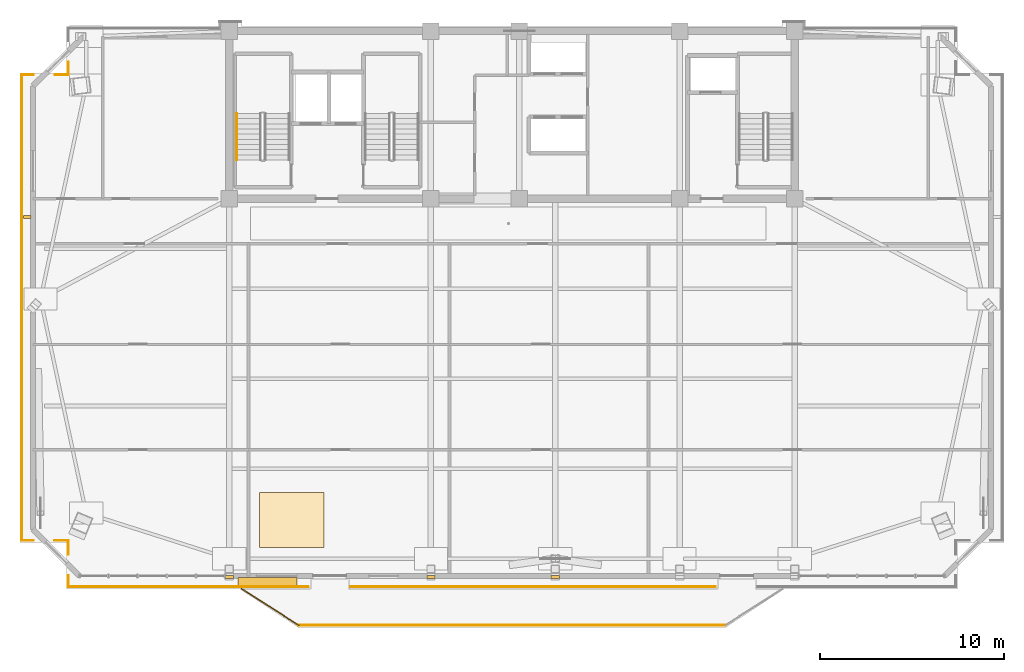
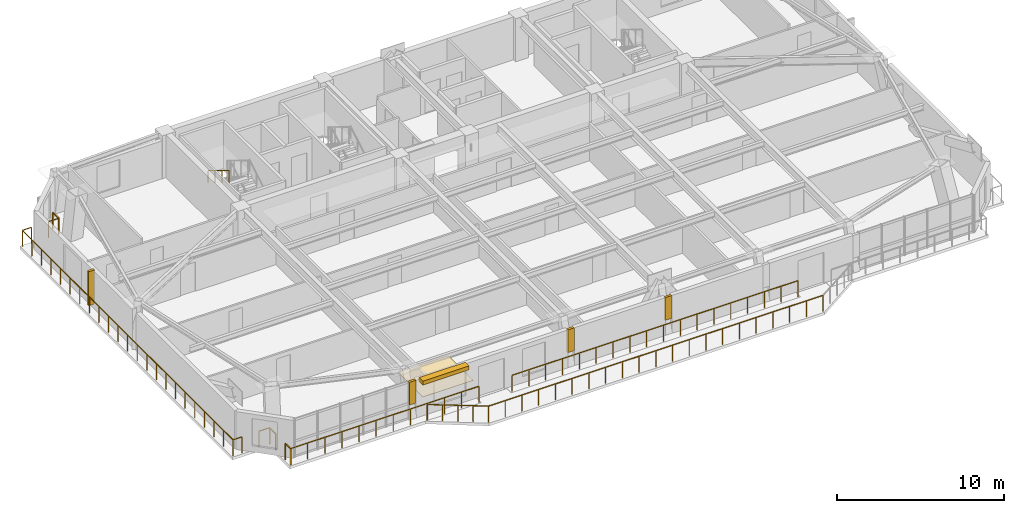
# One storey, part 12 of 15: 13 railings, 4 coverings, 2 shading devices.
"""IFC4 building model written with IfcOpenShell, lengths in metres."""

from ifc_helpers import new_model, si_unit, direction, frame, origin, origin_2d, place, context, subcontext, project, spatial, polyline, rectangle, outline, extrude, source, transform, mapped, material, layer, layer_set, type_object, element, save


model = new_model("IFC4")

# Units and contexts
model_context = context("Model", 3, precision=1e-05, world=origin(), true_north=direction((0.0, 1.0)))
body_context = subcontext(model_context, "Body", "Model", "MODEL_VIEW")
ifc_project = project(units=[si_unit("LENGTHUNIT", "METRE"), si_unit("AREAUNIT", "SQUARE_METRE"), si_unit("VOLUMEUNIT", "CUBIC_METRE"), si_unit("PLANEANGLEUNIT", "RADIAN"), si_unit("MASSUNIT", "GRAM", prefix="KILO")], contexts=[model_context])

# Site, building, storey
site_placement = place(None, origin())
site = spatial("IfcSite", under=ifc_project, at=site_placement, CompositionType="ELEMENT")
building_placement = place(site_placement, origin())
building = spatial("IfcBuilding", under=site, at=building_placement, Name="Giltprow Tower", CompositionType="ELEMENT")
storey_placement = place(building_placement, frame((0.0, 0.0, 275.699951171875)))
storey = spatial("IfcBuildingStorey", under=building, at=storey_placement, Name="L71", CompositionType="ELEMENT", Elevation=275.699951171875)

# Coverings
ifc_material_1 = material(Name="Engineered oak", Category="wood")
ifc_layer_1 = layer(ifc_material_1, 0.02490234375, Name="Engineered oak")
ifc_layer_set_1 = layer_set([ifc_layer_1], Name="Engineered oak")
covering_type_1 = type_object("IfcCoveringType", Name="COV-FLR-TIMBER", PredefinedType="FLOORING", material=ifc_layer_set_1)
covering_1_placement = place(storey_placement, origin())
element("IfcCovering", 1, at=covering_1_placement, inside=storey, type_object=covering_type_1, Name="L71 Residence Oak Parquet Flooring", PredefinedType="FLOORING", context=body_context, shape_type="SweptSolid", body=[
    extrude(outline(polyline([(21.5, 18.508056640625), (25.0, 18.508056640625), (25.0, 21.508056640625), (21.5, 21.508056640625), (21.5, 18.508056640625)])), origin(), (0.0, 0.0, 1.0), 0.025146484375),
])
ifc_material_2 = material(Name="Anodized bronze", Category="metal")
ifc_layer_2 = layer(ifc_material_2, 0.0400390625, Name="Anodized bronze")
ifc_layer_set_2 = layer_set([ifc_layer_2], Name="Anodized bronze")
covering_type_2 = type_object("IfcCoveringType", Name="COV-SOFFIT-BRONZE", PredefinedType="CLADDING", material=ifc_layer_set_2)
covering_2_placement = place(storey_placement, frame((0.0, 0.0, 1.10009765625)))
element("IfcCovering", 2, at=covering_2_placement, inside=storey, type_object=covering_type_2, Name="L71 Setback Pier Closure Cladding S-1", PredefinedType="CLADDING", context=body_context, shape_type="SweptSolid", body=[
    extrude(outline(polyline([(19.625, 16.8359375), (20.074951171875, 16.8359375), (20.074951171875, 16.99609375), (19.625, 16.99609375), (19.625, 16.8359375)])), origin(), (0.0, 0.0, 1.0), 1.669921875),
])
covering_3_placement = place(storey_placement, frame((0.0, 0.0, 1.10009765625)))
element("IfcCovering", 3, at=covering_3_placement, inside=storey, type_object=covering_type_2, Name="L71 Setback Pier Closure Cladding S-2", PredefinedType="CLADDING", context=body_context, shape_type="SweptSolid", body=[
    extrude(outline(polyline([(30.574951171875, 16.8359375), (31.02490234375, 16.8359375), (31.02490234375, 16.99609375), (30.574951171875, 16.99609375), (30.574951171875, 16.8359375)])), origin(), (0.0, 0.0, 1.0), 1.669921875),
])
covering_4_placement = place(storey_placement, frame((0.0, 0.0, 1.10009765625)))
element("IfcCovering", 4, at=covering_4_placement, inside=storey, type_object=covering_type_2, Name="L71 Setback Pier Closure Cladding S-3", PredefinedType="CLADDING", context=body_context, shape_type="SweptSolid", body=[
    extrude(outline(polyline([(37.324951171875, 16.8359375), (37.77490234375, 16.8359375), (37.77490234375, 16.99609375), (37.324951171875, 16.99609375), (37.324951171875, 16.8359375)])), origin(), (0.0, 0.0, 1.0), 1.669921875),
])

# Railings
railing_type_1 = type_object("IfcRailingType", Name="RAIL-BALC-GUARD-1200", PredefinedType="BALUSTRADE", material=ifc_material_2)
railing_1_placement = place(storey_placement, frame((20.52001953125, 16.27587890625, 0.0)))
element("IfcRailing", 5, at=railing_1_placement, inside=storey, type_object=railing_type_1, Name="L71 Waterfront Balcony Balustrade Seg 1", PredefinedType="BALUSTRADE", context=body_context, shape_type="SweptSolid", body=[
    extrude(rectangle(XDim=0.048095703125, YDim=0.048095703125, at=origin_2d()), frame((0.0, 0.0, 1.17578125), z_axis=(0.84277487735, -0.538266203757, 0.0), x_axis=(0.538266203757, 0.84277487735, 0.0)), (0.0, 0.0, 1.0), 3.678466796875),
    extrude(rectangle(XDim=0.0419921875, YDim=0.0419921875, at=origin_2d()), origin(), (0.0, 0.0, 1.0), 1.15185546875),
    extrude(rectangle(XDim=0.0419921875, YDim=0.0419921875, at=origin_2d()), frame((0.77490234375, -0.4951171875, 0.0)), (0.0, 0.0, 1.0), 1.15185546875),
    extrude(rectangle(XDim=0.0419921875, YDim=0.0419921875, at=origin_2d()), frame((1.550048828125, -0.989990234375, 0.0)), (0.0, 0.0, 1.0), 1.15185546875),
    extrude(rectangle(XDim=0.0419921875, YDim=0.0419921875, at=origin_2d()), frame((2.3251953125, -1.48486328125, 0.0)), (0.0, 0.0, 1.0), 1.15185546875),
    extrude(rectangle(XDim=0.0419921875, YDim=0.0419921875, at=origin_2d()), frame((3.10009765625, -1.97998046875, 0.0)), (0.0, 0.0, 1.0), 1.15185546875),
])
railing_2_placement = place(storey_placement, frame((23.6201171875, 14.2958984375, 0.0)))
element("IfcRailing", 6, at=railing_2_placement, inside=storey, type_object=railing_type_1, Name="L71 Waterfront Balcony Balustrade Seg 2", PredefinedType="BALUSTRADE", context=body_context, shape_type="SweptSolid", body=[
    extrude(rectangle(XDim=0.048095703125, YDim=0.048095703125, at=origin_2d()), frame((0.0, 0.0, 1.17578125), z_axis=(1.0, 0.0, 0.0), x_axis=(0.0, 1.0, 0.0)), (0.0, 0.0, 1.0), 23.159912109375),
    extrude(rectangle(XDim=0.0419921875, YDim=0.0419921875, at=origin_2d()), origin(), (0.0, 0.0, 1.0), 1.15185546875),
    extrude(rectangle(XDim=0.0419921875, YDim=0.0419921875, at=origin_2d()), frame((1.157958984375, 0.0, 0.0)), (0.0, 0.0, 1.0), 1.15185546875),
    extrude(rectangle(XDim=0.0419921875, YDim=0.0419921875, at=origin_2d()), frame((2.31591796875, 0.0, 0.0)), (0.0, 0.0, 1.0), 1.15185546875),
    extrude(rectangle(XDim=0.0419921875, YDim=0.0419921875, at=origin_2d()), frame((3.473876953125, 0.0, 0.0)), (0.0, 0.0, 1.0), 1.15185546875),
    extrude(rectangle(XDim=0.0419921875, YDim=0.0419921875, at=origin_2d()), frame((4.632080078125, 0.0, 0.0)), (0.0, 0.0, 1.0), 1.15185546875),
    extrude(rectangle(XDim=0.0419921875, YDim=0.0419921875, at=origin_2d()), frame((5.7900390625, 0.0, 0.0)), (0.0, 0.0, 1.0), 1.15185546875),
    extrude(rectangle(XDim=0.0419921875, YDim=0.0419921875, at=origin_2d()), frame((6.947998046875, 0.0, 0.0)), (0.0, 0.0, 1.0), 1.15185546875),
    extrude(rectangle(XDim=0.0419921875, YDim=0.0419921875, at=origin_2d()), frame((8.10595703125, 0.0, 0.0)), (0.0, 0.0, 1.0), 1.15185546875),
    extrude(rectangle(XDim=0.0419921875, YDim=0.0419921875, at=origin_2d()), frame((9.263916015625, 0.0, 0.0)), (0.0, 0.0, 1.0), 1.15185546875),
    extrude(rectangle(XDim=0.0419921875, YDim=0.0419921875, at=origin_2d()), frame((10.421875, 0.0, 0.0)), (0.0, 0.0, 1.0), 1.15185546875),
    extrude(rectangle(XDim=0.0419921875, YDim=0.0419921875, at=origin_2d()), frame((11.580078125, 0.0, 0.0)), (0.0, 0.0, 1.0), 1.15185546875),
    extrude(rectangle(XDim=0.0419921875, YDim=0.0419921875, at=origin_2d()), frame((12.738037109375, 0.0, 0.0)), (0.0, 0.0, 1.0), 1.15185546875),
    extrude(rectangle(XDim=0.0419921875, YDim=0.0419921875, at=origin_2d()), frame((13.89599609375, 0.0, 0.0)), (0.0, 0.0, 1.0), 1.15185546875),
    extrude(rectangle(XDim=0.0419921875, YDim=0.0419921875, at=origin_2d()), frame((15.053955078125, 0.0, 0.0)), (0.0, 0.0, 1.0), 1.15185546875),
    extrude(rectangle(XDim=0.0419921875, YDim=0.0419921875, at=origin_2d()), frame((16.2119140625, 0.0, 0.0)), (0.0, 0.0, 1.0), 1.15185546875),
    extrude(rectangle(XDim=0.0419921875, YDim=0.0419921875, at=origin_2d()), frame((17.369873046875, 0.0, 0.0)), (0.0, 0.0, 1.0), 1.15185546875),
    extrude(rectangle(XDim=0.0419921875, YDim=0.0419921875, at=origin_2d()), frame((18.52783203125, 0.0, 0.0)), (0.0, 0.0, 1.0), 1.15185546875),
    extrude(rectangle(XDim=0.0419921875, YDim=0.0419921875, at=origin_2d()), frame((19.68603515625, 0.0, 0.0)), (0.0, 0.0, 1.0), 1.15185546875),
    extrude(rectangle(XDim=0.0419921875, YDim=0.0419921875, at=origin_2d()), frame((20.843994140625, 0.0, 0.0)), (0.0, 0.0, 1.0), 1.15185546875),
    extrude(rectangle(XDim=0.0419921875, YDim=0.0419921875, at=origin_2d()), frame((22.001953125, 0.0, 0.0)), (0.0, 0.0, 1.0), 1.15185546875),
    extrude(rectangle(XDim=0.0419921875, YDim=0.0419921875, at=origin_2d()), frame((23.159912109375, 0.0, 0.0)), (0.0, 0.0, 1.0), 1.15185546875),
])
railing_3_placement = place(storey_placement, frame((46.25, 16.3759765625, 0.0)))
element("IfcRailing", 7, at=railing_3_placement, inside=storey, type_object=railing_type_1, Name="L71 Corner Apron Edge Balustrade 7", PredefinedType="BALUSTRADE", context=body_context, shape_type="SweptSolid", body=[
    extrude(rectangle(XDim=0.048095703125, YDim=0.048095703125, at=origin_2d()), frame((0.0, 0.0, 1.17578125), z_axis=(-1.0, 0.0, 0.0), x_axis=(0.0, -1.0, 0.0)), (0.0, 0.0, 1.0), 19.800048828125),
    extrude(rectangle(XDim=0.0419921875, YDim=0.0419921875, at=origin_2d()), origin(), (0.0, 0.0, 1.0), 1.15185546875),
    extrude(rectangle(XDim=0.0419921875, YDim=0.0419921875, at=origin_2d()), frame((-1.164794921875, 0.0, 0.0)), (0.0, 0.0, 1.0), 1.15185546875),
    extrude(rectangle(XDim=0.0419921875, YDim=0.0419921875, at=origin_2d()), frame((-2.329345703125, 0.0, 0.0)), (0.0, 0.0, 1.0), 1.15185546875),
    extrude(rectangle(XDim=0.0419921875, YDim=0.0419921875, at=origin_2d()), frame((-3.494140625, 0.0, 0.0)), (0.0, 0.0, 1.0), 1.15185546875),
    extrude(rectangle(XDim=0.0419921875, YDim=0.0419921875, at=origin_2d()), frame((-4.658935546875, 0.0, 0.0)), (0.0, 0.0, 1.0), 1.15185546875),
    extrude(rectangle(XDim=0.0419921875, YDim=0.0419921875, at=origin_2d()), frame((-5.823486328125, 0.0, 0.0)), (0.0, 0.0, 1.0), 1.15185546875),
    extrude(rectangle(XDim=0.0419921875, YDim=0.0419921875, at=origin_2d()), frame((-6.98828125, 0.0, 0.0)), (0.0, 0.0, 1.0), 1.15185546875),
    extrude(rectangle(XDim=0.0419921875, YDim=0.0419921875, at=origin_2d()), frame((-8.153076171875, 0.0, 0.0)), (0.0, 0.0, 1.0), 1.15185546875),
    extrude(rectangle(XDim=0.0419921875, YDim=0.0419921875, at=origin_2d()), frame((-9.317626953125, 0.0, 0.0)), (0.0, 0.0, 1.0), 1.15185546875),
    extrude(rectangle(XDim=0.0419921875, YDim=0.0419921875, at=origin_2d()), frame((-10.482421875, 0.0, 0.0)), (0.0, 0.0, 1.0), 1.15185546875),
    extrude(rectangle(XDim=0.0419921875, YDim=0.0419921875, at=origin_2d()), frame((-11.64697265625, 0.0, 0.0)), (0.0, 0.0, 1.0), 1.15185546875),
    extrude(rectangle(XDim=0.0419921875, YDim=0.0419921875, at=origin_2d()), frame((-12.811767578125, 0.0, 0.0)), (0.0, 0.0, 1.0), 1.15185546875),
    extrude(rectangle(XDim=0.0419921875, YDim=0.0419921875, at=origin_2d()), frame((-13.9765625, 0.0, 0.0)), (0.0, 0.0, 1.0), 1.15185546875),
    extrude(rectangle(XDim=0.0419921875, YDim=0.0419921875, at=origin_2d()), frame((-15.14111328125, 0.0, 0.0)), (0.0, 0.0, 1.0), 1.15185546875),
    extrude(rectangle(XDim=0.0419921875, YDim=0.0419921875, at=origin_2d()), frame((-16.305908203125, 0.0, 0.0)), (0.0, 0.0, 1.0), 1.15185546875),
    extrude(rectangle(XDim=0.0419921875, YDim=0.0419921875, at=origin_2d()), frame((-17.470703125, 0.0, 0.0)), (0.0, 0.0, 1.0), 1.15185546875),
    extrude(rectangle(XDim=0.0419921875, YDim=0.0419921875, at=origin_2d()), frame((-18.63525390625, 0.0, 0.0)), (0.0, 0.0, 1.0), 1.15185546875),
    extrude(rectangle(XDim=0.0419921875, YDim=0.0419921875, at=origin_2d()), frame((-19.800048828125, 0.0, 0.0)), (0.0, 0.0, 1.0), 1.15185546875),
])
railing_4_placement = place(storey_placement, frame((24.14990234375, 16.3759765625, 0.0)))
element("IfcRailing", 8, at=railing_4_placement, inside=storey, type_object=railing_type_1, Name="L71 Corner Apron Edge Balustrade 8", PredefinedType="BALUSTRADE", context=body_context, shape_type="SweptSolid", body=[
    extrude(rectangle(XDim=0.048095703125, YDim=0.048095703125, at=origin_2d()), frame((0.0, 0.0, 1.17578125), z_axis=(-1.0, 0.0, 0.0), x_axis=(0.0, -1.0, 0.0)), (0.0, 0.0, 1.0), 13.032958984375),
    extrude(rectangle(XDim=0.0419921875, YDim=0.0419921875, at=origin_2d()), origin(), (0.0, 0.0, 1.0), 1.15185546875),
    extrude(rectangle(XDim=0.0419921875, YDim=0.0419921875, at=origin_2d()), frame((-1.184814453125, 0.0, 0.0)), (0.0, 0.0, 1.0), 1.15185546875),
    extrude(rectangle(XDim=0.0419921875, YDim=0.0419921875, at=origin_2d()), frame((-2.36962890625, 0.0, 0.0)), (0.0, 0.0, 1.0), 1.15185546875),
    extrude(rectangle(XDim=0.0419921875, YDim=0.0419921875, at=origin_2d()), frame((-3.554443359375, 0.0, 0.0)), (0.0, 0.0, 1.0), 1.15185546875),
    extrude(rectangle(XDim=0.0419921875, YDim=0.0419921875, at=origin_2d()), frame((-4.7392578125, 0.0, 0.0)), (0.0, 0.0, 1.0), 1.15185546875),
    extrude(rectangle(XDim=0.0419921875, YDim=0.0419921875, at=origin_2d()), frame((-5.924072265625, 0.0, 0.0)), (0.0, 0.0, 1.0), 1.15185546875),
    extrude(rectangle(XDim=0.0419921875, YDim=0.0419921875, at=origin_2d()), frame((-7.10888671875, 0.0, 0.0)), (0.0, 0.0, 1.0), 1.15185546875),
    extrude(rectangle(XDim=0.0419921875, YDim=0.0419921875, at=origin_2d()), frame((-8.293701171875, 0.0, 0.0)), (0.0, 0.0, 1.0), 1.15185546875),
    extrude(rectangle(XDim=0.0419921875, YDim=0.0419921875, at=origin_2d()), frame((-9.478515625, 0.0, 0.0)), (0.0, 0.0, 1.0), 1.15185546875),
    extrude(rectangle(XDim=0.0419921875, YDim=0.0419921875, at=origin_2d()), frame((-10.663330078125, 0.0, 0.0)), (0.0, 0.0, 1.0), 1.15185546875),
    extrude(rectangle(XDim=0.0419921875, YDim=0.0419921875, at=origin_2d()), frame((-11.84814453125, 0.0, 0.0)), (0.0, 0.0, 1.0), 1.15185546875),
    extrude(rectangle(XDim=0.0419921875, YDim=0.0419921875, at=origin_2d()), frame((-13.032958984375, 0.0, 0.0)), (0.0, 0.0, 1.0), 1.15185546875),
])
railing_5_placement = place(storey_placement, frame((11.116943359375, 16.3759765625, 0.0)))
element("IfcRailing", 9, at=railing_5_placement, inside=storey, type_object=railing_type_1, Name="L71 Corner Apron Edge Balustrade 9", PredefinedType="BALUSTRADE", context=body_context, shape_type="SweptSolid", body=[
    extrude(rectangle(XDim=0.048095703125, YDim=0.048095703125, at=origin_2d()), frame((0.0, 0.0, 1.17578125), z_axis=(0.0, 1.0, 0.0), x_axis=(-1.0, 0.0, 0.0)), (0.0, 0.0, 1.0), 0.6201171875),
    extrude(rectangle(XDim=0.0419921875, YDim=0.0419921875, at=origin_2d()), origin(), (0.0, 0.0, 1.0), 1.15185546875),
    extrude(rectangle(XDim=0.0419921875, YDim=0.0419921875, at=origin_2d()), frame((0.0, 0.6201171875, 0.0)), (0.0, 0.0, 1.0), 1.15185546875),
])
railing_6_placement = place(storey_placement, frame((11.116943359375, 18.156005859375, 0.0)))
element("IfcRailing", 10, at=railing_6_placement, inside=storey, type_object=railing_type_1, Name="L71 Corner Apron Edge Balustrade 10", PredefinedType="BALUSTRADE", context=body_context, shape_type="SweptSolid", body=[
    extrude(rectangle(XDim=0.048095703125, YDim=0.048095703125, at=origin_2d()), frame((0.0, 0.0, 1.17578125), z_axis=(0.0, 1.0, 0.0), x_axis=(-1.0, 0.0, 0.0)), (0.0, 0.0, 1.0), 0.742919921875),
    extrude(rectangle(XDim=0.0419921875, YDim=0.0419921875, at=origin_2d()), origin(), (0.0, 0.0, 1.0), 1.15185546875),
    extrude(rectangle(XDim=0.0419921875, YDim=0.0419921875, at=origin_2d()), frame((0.0, 0.742919921875, 0.0)), (0.0, 0.0, 1.0), 1.15185546875),
])
railing_7_placement = place(storey_placement, frame((11.116943359375, 18.89892578125, 0.0)))
element("IfcRailing", 11, at=railing_7_placement, inside=storey, type_object=railing_type_1, Name="L71 Corner Apron Edge Balustrade 11", PredefinedType="BALUSTRADE", context=body_context, shape_type="SweptSolid", body=[
    extrude(rectangle(XDim=0.048095703125, YDim=0.048095703125, at=origin_2d()), frame((0.0, 0.0, 1.17578125), z_axis=(-1.0, 0.0, 0.0), x_axis=(0.0, -1.0, 0.0)), (0.0, 0.0, 1.0), 0.742919921875),
    extrude(rectangle(XDim=0.0419921875, YDim=0.0419921875, at=origin_2d()), origin(), (0.0, 0.0, 1.0), 1.15185546875),
    extrude(rectangle(XDim=0.0419921875, YDim=0.0419921875, at=origin_2d()), frame((-0.742919921875, 0.0, 0.0)), (0.0, 0.0, 1.0), 1.15185546875),
])
railing_8_placement = place(storey_placement, frame((9.214111328125, 18.89892578125, 0.0)))
element("IfcRailing", 12, at=railing_8_placement, inside=storey, type_object=railing_type_1, Name="L71 Corner Apron Edge Balustrade 12", PredefinedType="BALUSTRADE", context=body_context, shape_type="SweptSolid", body=[
    extrude(rectangle(XDim=0.048095703125, YDim=0.048095703125, at=origin_2d()), frame((0.0, 0.0, 1.17578125), z_axis=(-1.0, 0.0, 0.0), x_axis=(0.0, -1.0, 0.0)), (0.0, 0.0, 1.0), 0.6201171875),
    extrude(rectangle(XDim=0.0419921875, YDim=0.0419921875, at=origin_2d()), origin(), (0.0, 0.0, 1.0), 1.15185546875),
    extrude(rectangle(XDim=0.0419921875, YDim=0.0419921875, at=origin_2d()), frame((-0.6201171875, 0.0, 0.0)), (0.0, 0.0, 1.0), 1.15185546875),
])
railing_9_placement = place(storey_placement, frame((8.593994140625, 18.89892578125, 0.0)))
element("IfcRailing", 13, at=railing_9_placement, inside=storey, type_object=railing_type_1, Name="L71 Corner Apron Edge Balustrade 13", PredefinedType="BALUSTRADE", context=body_context, shape_type="SweptSolid", body=[
    extrude(rectangle(XDim=0.048095703125, YDim=0.048095703125, at=origin_2d()), frame((0.0, 0.0, 1.17578125), z_axis=(0.0, 1.0, 0.0), x_axis=(-1.0, 0.0, 0.0)), (0.0, 0.0, 1.0), 25.277099609375),
    extrude(rectangle(XDim=0.0419921875, YDim=0.0419921875, at=origin_2d()), origin(), (0.0, 0.0, 1.0), 1.15185546875),
    extrude(rectangle(XDim=0.0419921875, YDim=0.0419921875, at=origin_2d()), frame((0.0, 1.14892578125, 0.0)), (0.0, 0.0, 1.0), 1.15185546875),
    extrude(rectangle(XDim=0.0419921875, YDim=0.0419921875, at=origin_2d()), frame((0.0, 2.2978515625, 0.0)), (0.0, 0.0, 1.0), 1.15185546875),
    extrude(rectangle(XDim=0.0419921875, YDim=0.0419921875, at=origin_2d()), frame((0.0, 3.44677734375, 0.0)), (0.0, 0.0, 1.0), 1.15185546875),
    extrude(rectangle(XDim=0.0419921875, YDim=0.0419921875, at=origin_2d()), frame((0.0, 4.595947265625, 0.0)), (0.0, 0.0, 1.0), 1.15185546875),
    extrude(rectangle(XDim=0.0419921875, YDim=0.0419921875, at=origin_2d()), frame((0.0, 5.744873046875, 0.0)), (0.0, 0.0, 1.0), 1.15185546875),
    extrude(rectangle(XDim=0.0419921875, YDim=0.0419921875, at=origin_2d()), frame((0.0, 6.893798828125, 0.0)), (0.0, 0.0, 1.0), 1.15185546875),
    extrude(rectangle(XDim=0.0419921875, YDim=0.0419921875, at=origin_2d()), frame((0.0, 8.042724609375, 0.0)), (0.0, 0.0, 1.0), 1.15185546875),
    extrude(rectangle(XDim=0.0419921875, YDim=0.0419921875, at=origin_2d()), frame((0.0, 9.191650390625, 0.0)), (0.0, 0.0, 1.0), 1.15185546875),
    extrude(rectangle(XDim=0.0419921875, YDim=0.0419921875, at=origin_2d()), frame((0.0, 10.340576171875, 0.0)), (0.0, 0.0, 1.0), 1.15185546875),
    extrude(rectangle(XDim=0.0419921875, YDim=0.0419921875, at=origin_2d()), frame((0.0, 11.489501953125, 0.0)), (0.0, 0.0, 1.0), 1.15185546875),
    extrude(rectangle(XDim=0.0419921875, YDim=0.0419921875, at=origin_2d()), frame((0.0, 12.638671875, 0.0)), (0.0, 0.0, 1.0), 1.15185546875),
    extrude(rectangle(XDim=0.0419921875, YDim=0.0419921875, at=origin_2d()), frame((0.0, 13.78759765625, 0.0)), (0.0, 0.0, 1.0), 1.15185546875),
    extrude(rectangle(XDim=0.0419921875, YDim=0.0419921875, at=origin_2d()), frame((0.0, 14.9365234375, 0.0)), (0.0, 0.0, 1.0), 1.15185546875),
    extrude(rectangle(XDim=0.0419921875, YDim=0.0419921875, at=origin_2d()), frame((0.0, 16.08544921875, 0.0)), (0.0, 0.0, 1.0), 1.15185546875),
    extrude(rectangle(XDim=0.0419921875, YDim=0.0419921875, at=origin_2d()), frame((0.0, 17.234375, 0.0)), (0.0, 0.0, 1.0), 1.15185546875),
    extrude(rectangle(XDim=0.0419921875, YDim=0.0419921875, at=origin_2d()), frame((0.0, 18.38330078125, 0.0)), (0.0, 0.0, 1.0), 1.15185546875),
    extrude(rectangle(XDim=0.0419921875, YDim=0.0419921875, at=origin_2d()), frame((0.0, 19.5322265625, 0.0)), (0.0, 0.0, 1.0), 1.15185546875),
    extrude(rectangle(XDim=0.0419921875, YDim=0.0419921875, at=origin_2d()), frame((0.0, 20.68115234375, 0.0)), (0.0, 0.0, 1.0), 1.15185546875),
    extrude(rectangle(XDim=0.0419921875, YDim=0.0419921875, at=origin_2d()), frame((0.0, 21.830322265625, 0.0)), (0.0, 0.0, 1.0), 1.15185546875),
    extrude(rectangle(XDim=0.0419921875, YDim=0.0419921875, at=origin_2d()), frame((0.0, 22.979248046875, 0.0)), (0.0, 0.0, 1.0), 1.15185546875),
    extrude(rectangle(XDim=0.0419921875, YDim=0.0419921875, at=origin_2d()), frame((0.0, 24.128173828125, 0.0)), (0.0, 0.0, 1.0), 1.15185546875),
    extrude(rectangle(XDim=0.0419921875, YDim=0.0419921875, at=origin_2d()), frame((0.0, 25.277099609375, 0.0)), (0.0, 0.0, 1.0), 1.15185546875),
])
railing_10_placement = place(storey_placement, frame((8.593994140625, 44.176025390625, 0.0)))
element("IfcRailing", 14, at=railing_10_placement, inside=storey, type_object=railing_type_1, Name="L71 Corner Apron Edge Balustrade 14", PredefinedType="BALUSTRADE", context=body_context, shape_type="SweptSolid", body=[
    extrude(rectangle(XDim=0.048095703125, YDim=0.048095703125, at=origin_2d()), frame((0.0, 0.0, 1.17578125), z_axis=(1.0, 0.0, 0.0), x_axis=(0.0, 1.0, 0.0)), (0.0, 0.0, 1.0), 0.6279296875),
    extrude(rectangle(XDim=0.0419921875, YDim=0.0419921875, at=origin_2d()), origin(), (0.0, 0.0, 1.0), 1.15185546875),
    extrude(rectangle(XDim=0.0419921875, YDim=0.0419921875, at=origin_2d()), frame((0.6279296875, 0.0, 0.0)), (0.0, 0.0, 1.0), 1.15185546875),
])
railing_11_placement = place(storey_placement, frame((10.39794921875, 44.176025390625, 0.0)))
element("IfcRailing", 15, at=railing_11_placement, inside=storey, type_object=railing_type_1, Name="L71 Corner Apron Edge Balustrade 15", PredefinedType="BALUSTRADE", context=body_context, shape_type="SweptSolid", body=[
    extrude(rectangle(XDim=0.048095703125, YDim=0.048095703125, at=origin_2d()), frame((0.0, 0.0, 1.17578125), z_axis=(1.0, 0.0, 0.0), x_axis=(0.0, 1.0, 0.0)), (0.0, 0.0, 1.0), 0.718994140625),
    extrude(rectangle(XDim=0.0419921875, YDim=0.0419921875, at=origin_2d()), origin(), (0.0, 0.0, 1.0), 1.15185546875),
    extrude(rectangle(XDim=0.0419921875, YDim=0.0419921875, at=origin_2d()), frame((0.718994140625, 0.0, 0.0)), (0.0, 0.0, 1.0), 1.15185546875),
])
railing_12_placement = place(storey_placement, frame((11.116943359375, 44.176025390625, 0.0)))
element("IfcRailing", 16, at=railing_12_placement, inside=storey, type_object=railing_type_1, Name="L71 Corner Apron Edge Balustrade 16", PredefinedType="BALUSTRADE", context=body_context, shape_type="SweptSolid", body=[
    extrude(rectangle(XDim=0.048095703125, YDim=0.048095703125, at=origin_2d()), frame((0.0, 0.0, 1.17578125), z_axis=(0.0, 1.0, 0.0), x_axis=(-1.0, 0.0, 0.0)), (0.0, 0.0, 1.0), 0.699951171875),
    extrude(rectangle(XDim=0.0419921875, YDim=0.0419921875, at=origin_2d()), origin(), (0.0, 0.0, 1.0), 1.15185546875),
    extrude(rectangle(XDim=0.0419921875, YDim=0.0419921875, at=origin_2d()), frame((0.0, 0.699951171875, 0.0)), (0.0, 0.0, 1.0), 1.15185546875),
])
railing_type_2 = type_object("IfcRailingType", Name="RAIL-STAIR-HAND-900", PredefinedType="HANDRAIL", material=ifc_material_2)
railing_13_placement = place(storey_placement, frame((20.25, 42.070068359375, 1.8701171875)))
element("IfcRailing", 17, at=railing_13_placement, inside=storey, type_object=railing_type_2, Name="L71 ST-1 stair handrail 2", PredefinedType="HANDRAIL", context=body_context, shape_type="SweptSolid", body=[
    extrude(rectangle(XDim=0.048095703125, YDim=0.048095703125, at=origin_2d()), frame((0.0, 0.0, 0.8759765625), z_axis=(0.0, -0.85478489116, 0.518982456201), x_axis=(1.0, 0.0, 0.0)), (0.0, 0.0, 1.0), 2.9482421875),
    extrude(rectangle(XDim=0.0419921875, YDim=0.0419921875, at=origin_2d()), origin(), (0.0, 0.0, 1.0), 0.851806640625),
    extrude(rectangle(XDim=0.0419921875, YDim=0.0419921875, at=origin_2d()), frame((0.0, -0.840087890625, 0.510009765625)), (0.0, 0.0, 1.0), 0.851806640625),
    extrude(rectangle(XDim=0.0419921875, YDim=0.0419921875, at=origin_2d()), frame((0.0, -1.679931640625, 1.02001953125)), (0.0, 0.0, 1.0), 0.851806640625),
    extrude(rectangle(XDim=0.0419921875, YDim=0.0419921875, at=origin_2d()), frame((0.0, -2.52001953125, 1.530029296875)), (0.0, 0.0, 1.0), 0.851806640625),
])

# Shading devices
shading_device_type_1 = type_object("IfcShadingDeviceType", Name="SHD-FIN-420", PredefinedType="USERDEFINED", material=ifc_material_2)
shared_shape_1 = source(origin(), body_context, "Body", "SweptSolid", [
    extrude(rectangle(XDim=0.419921875, YDim=0.159912109375, at=origin_2d()), origin(), (0.0, 0.0, 1.0), 2.5),
])
shading_device_1_placement = place(storey_placement, frame((8.89404296875, 36.449951171875, 0.35009765625), z_axis=(0.0, 0.0, 1.0), x_axis=(1.0, 0.0, 0.0)))
element("IfcShadingDevice", 18, at=shading_device_1_placement, inside=storey, type_object=shading_device_type_1, Name="L71 W Bronze Vertical Fin 2-1", ObjectType="FIN", PredefinedType="USERDEFINED", context=body_context, shape_type="MappedRepresentation", body=[
    mapped(shared_shape_1, transform((0.0, 0.0, 0.0), x_axis=(1.0, 0.0, 0.0), y_axis=(0.0, 1.0, 0.0), z_axis=(0.0, 0.0, 1.0), scale=1.0)),
])
shading_device_type_2 = type_object("IfcShadingDeviceType", Name="SHD-LOUVRE-320", PredefinedType="JALOUSIE", material=ifc_material_2)
shared_shape_2 = source(origin(), body_context, "Body", "SweptSolid", [
    extrude(rectangle(XDim=3.199951171875, YDim=0.449951171875, at=origin_2d()), origin(), (0.0, 0.0, 1.0), 0.280029296875),
])
shading_device_2_placement = place(storey_placement, frame((21.925048828125, 16.676025390625, 2.56005859375), z_axis=(0.0, 0.0, 1.0), x_axis=(1.0, 0.0, 0.0)))
element("IfcShadingDevice", 19, at=shading_device_2_placement, inside=storey, type_object=shading_device_type_2, Name="L71 Bronze Sunshade Louvre S-2", PredefinedType="JALOUSIE", context=body_context, shape_type="MappedRepresentation", body=[
    mapped(shared_shape_2, transform((0.0, 0.0, 0.0), x_axis=(1.0, 0.0, 0.0), y_axis=(0.0, 1.0, 0.0), z_axis=(0.0, 0.0, 1.0), scale=1.0)),
])

save(model, "model.ifc")
